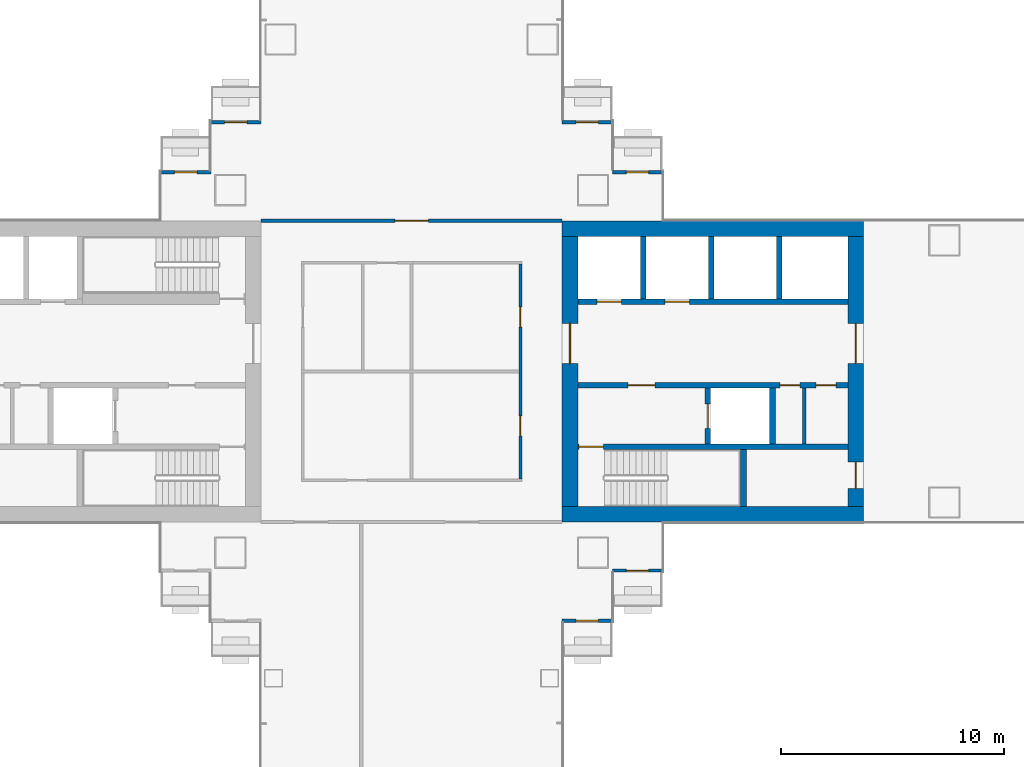
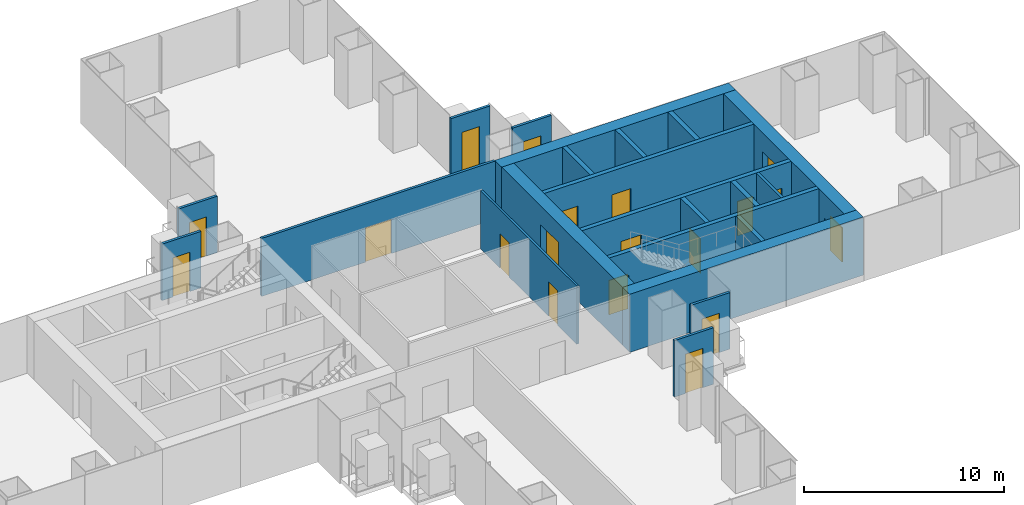
# One storey, part 15 of 21: 22 walls, 19 doors, 19 openings.
"""IFC4 building model written with IfcOpenShell, lengths in metres."""

from ifc_helpers import new_model, si_unit, direction, frame, frame_2d, origin, place, context, subcontext, project, spatial, rectangle, extrude, material, layer, layer_set, type_object, element, fill, save


model = new_model("IFC4")

# Units and contexts
model_context = context("Model", 3, precision=1e-05, world=origin(), true_north=direction((0.0, 1.0)))
body_context = subcontext(model_context, "Body", "Model", "MODEL_VIEW")
ifc_project = project(units=[si_unit("LENGTHUNIT", "METRE"), si_unit("AREAUNIT", "SQUARE_METRE"), si_unit("VOLUMEUNIT", "CUBIC_METRE"), si_unit("PLANEANGLEUNIT", "RADIAN"), si_unit("MASSUNIT", "GRAM", prefix="KILO")], contexts=[model_context])

# Site, building, storey
site_placement = place(None, origin())
site = spatial("IfcSite", under=ifc_project, at=site_placement, CompositionType="ELEMENT")
building_placement = place(site_placement, origin())
building = spatial("IfcBuilding", under=site, at=building_placement, Name="Shamsa Quay Exchange Towers", CompositionType="ELEMENT")
storey_placement = place(building_placement, frame((0.0, 0.0, 65.39990234375)))
storey = spatial("IfcBuildingStorey", under=building, at=storey_placement, Name="L14", CompositionType="ELEMENT", Elevation=65.39990234375)

# Wall, opening, door
ifc_material_1 = material(Name="Aluminium EN AW-6063 T6, black anodised, with black enamelled glass infill", Category="aluminium")
ifc_layer_1 = layer(ifc_material_1, 0.14990234375)
ifc_layer_set_1 = layer_set([ifc_layer_1], Name="BALCONY DOOR BAY WALL 150")
wall_type_1 = type_object("IfcWallType", Name="BALCONY DOOR BAY WALL 150", PredefinedType="SOLIDWALL", material=ifc_layer_set_1)
wall_1_placement = place(storey_placement, frame((-24.75, 8.925048828125, 0.0)))
wall_1 = element("IfcWall", 1, at=wall_1_placement, inside=storey, type_object=wall_type_1, Name="Door bay T1-PKEN L14", PredefinedType="SOLIDWALL", context=body_context, shape_type="SweptSolid", body=[
    extrude(rectangle(XDim=2.25, YDim=0.14990234375, at=frame_2d((1.125, 0.0))), origin(), (0.0, 0.0, 1.0), 3.4501953125),
])
opening_1_placement = place(wall_1_placement, frame((0.625, 0.0, 0.0)))
opening_1 = element("IfcOpeningElement", 2, at=opening_1_placement, cuts=wall_1, Name="Opening XD081", PredefinedType="OPENING", context=body_context, shape_type="SweptSolid", body=[
    extrude(rectangle(XDim=1.0, YDim=2.39990234375, at=frame_2d((0.5, 1.199951171875))), frame((0.0, 0.0849609375, 0.0), z_axis=(0.0, -1.0, 0.0), x_axis=(1.0, 0.0, 0.0)), (0.0, 0.0, 1.0), 0.169921875),
])
ifc_material_2 = material(Name="Aluminium EN AW-6063 T6, black anodised, with laminated glass leaf", Category="aluminium")
door_type_1 = type_object("IfcDoorType", Name="BALCONY DOOR 1000x2400", OperationType="SINGLE_SWING_LEFT", PredefinedType="DOOR", material=ifc_material_2)
door_1_placement = place(opening_1_placement, origin())
door_1 = element("IfcDoor", 3, at=door_1_placement, inside=storey, type_object=door_type_1, Name="Balcony door T1-PKEN L14", OperationType="SINGLE_SWING_RIGHT", OverallHeight=2.39990234375, OverallWidth=1.0, PredefinedType="DOOR", context=body_context, shape_type="SweptSolid", body=[
    extrude(rectangle(XDim=1.0, YDim=2.39990234375, at=frame_2d((0.5, 1.199951171875))), frame((0.0, 0.02490234375, 0.0), z_axis=(0.0, -1.0, 0.0), x_axis=(1.0, 0.0, 0.0)), (0.0, 0.0, 1.0), 0.050048828125),
])
fill(opening_1, door_1)

wall_2_placement = place(storey_placement, frame((-27.0, 11.175048828125, 0.0)))
wall_2 = element("IfcWall", 4, at=wall_2_placement, inside=storey, type_object=wall_type_1, Name="Door bay T1-PKEN L14", PredefinedType="SOLIDWALL", context=body_context, shape_type="SweptSolid", body=[
    extrude(rectangle(XDim=2.25, YDim=0.14990234375, at=frame_2d((1.125, 0.0))), origin(), (0.0, 0.0, 1.0), 3.4501953125),
])
opening_2_placement = place(wall_2_placement, frame((0.625, 0.0, 0.0)))
opening_2 = element("IfcOpeningElement", 5, at=opening_2_placement, cuts=wall_2, Name="Opening XD082", PredefinedType="OPENING", context=body_context, shape_type="SweptSolid", body=[
    extrude(rectangle(XDim=1.0, YDim=2.39990234375, at=frame_2d((0.5, 1.199951171875))), frame((0.0, 0.0849609375, 0.0), z_axis=(0.0, -1.0, 0.0), x_axis=(1.0, 0.0, 0.0)), (0.0, 0.0, 1.0), 0.169921875),
])
door_2_placement = place(opening_2_placement, origin())
door_2 = element("IfcDoor", 6, at=door_2_placement, inside=storey, type_object=door_type_1, Name="Balcony door T1-PKEN L14", OperationType="SINGLE_SWING_LEFT", OverallHeight=2.39990234375, OverallWidth=1.0, PredefinedType="DOOR", context=body_context, shape_type="SweptSolid", body=[
    extrude(rectangle(XDim=1.0, YDim=2.39990234375, at=frame_2d((0.5, 1.199951171875))), frame((0.0, 0.02490234375, 0.0), z_axis=(0.0, -1.0, 0.0), x_axis=(1.0, 0.0, 0.0)), (0.0, 0.0, 1.0), 0.050048828125),
])
fill(opening_2, door_2)

wall_3_placement = place(storey_placement, frame((-22.5, -8.925048828125, 0.0), z_axis=(0.0, 0.0, 1.0), x_axis=(-1.0, 0.0, 0.0)))
wall_3 = element("IfcWall", 7, at=wall_3_placement, inside=storey, type_object=wall_type_1, Name="Door bay T1-PKES L14", PredefinedType="SOLIDWALL", context=body_context, shape_type="SweptSolid", body=[
    extrude(rectangle(XDim=2.25, YDim=0.14990234375, at=frame_2d((1.125, 0.0))), origin(), (0.0, 0.0, 1.0), 3.4501953125),
])
opening_3_placement = place(wall_3_placement, frame((0.625, 0.0, 0.0)))
opening_3 = element("IfcOpeningElement", 8, at=opening_3_placement, cuts=wall_3, Name="Opening XD083", PredefinedType="OPENING", context=body_context, shape_type="SweptSolid", body=[
    extrude(rectangle(XDim=1.0, YDim=2.39990234375, at=frame_2d((0.5, 1.199951171875))), frame((0.0, 0.0849609375, 0.0), z_axis=(0.0, -1.0, 0.0), x_axis=(1.0, 0.0, 0.0)), (0.0, 0.0, 1.0), 0.169921875),
])
door_3_placement = place(opening_3_placement, origin())
door_3 = element("IfcDoor", 9, at=door_3_placement, inside=storey, type_object=door_type_1, Name="Balcony door T1-PKES L14", OperationType="SINGLE_SWING_RIGHT", OverallHeight=2.39990234375, OverallWidth=1.0, PredefinedType="DOOR", context=body_context, shape_type="SweptSolid", body=[
    extrude(rectangle(XDim=1.0, YDim=2.39990234375, at=frame_2d((0.5, 1.199951171875))), frame((0.0, 0.02490234375, 0.0), z_axis=(0.0, -1.0, 0.0), x_axis=(1.0, 0.0, 0.0)), (0.0, 0.0, 1.0), 0.050048828125),
])
fill(opening_3, door_3)

wall_4_placement = place(storey_placement, frame((-24.75, -11.175048828125, 0.0), z_axis=(0.0, 0.0, 1.0), x_axis=(-1.0, 0.0, 0.0)))
wall_4 = element("IfcWall", 10, at=wall_4_placement, inside=storey, type_object=wall_type_1, Name="Door bay T1-PKES L14", PredefinedType="SOLIDWALL", context=body_context, shape_type="SweptSolid", body=[
    extrude(rectangle(XDim=2.25, YDim=0.14990234375, at=frame_2d((1.125, 0.0))), origin(), (0.0, 0.0, 1.0), 3.4501953125),
])
opening_4_placement = place(wall_4_placement, frame((0.625, 0.0, 0.0)))
opening_4 = element("IfcOpeningElement", 11, at=opening_4_placement, cuts=wall_4, Name="Opening XD084", PredefinedType="OPENING", context=body_context, shape_type="SweptSolid", body=[
    extrude(rectangle(XDim=1.0, YDim=2.39990234375, at=frame_2d((0.5, 1.199951171875))), frame((0.0, 0.0849609375, 0.0), z_axis=(0.0, -1.0, 0.0), x_axis=(1.0, 0.0, 0.0)), (0.0, 0.0, 1.0), 0.169921875),
])
door_4_placement = place(opening_4_placement, origin())
door_4 = element("IfcDoor", 12, at=door_4_placement, inside=storey, type_object=door_type_1, Name="Balcony door T1-PKES L14", OperationType="SINGLE_SWING_LEFT", OverallHeight=2.39990234375, OverallWidth=1.0, PredefinedType="DOOR", context=body_context, shape_type="SweptSolid", body=[
    extrude(rectangle(XDim=1.0, YDim=2.39990234375, at=frame_2d((0.5, 1.199951171875))), frame((0.0, 0.02490234375, 0.0), z_axis=(0.0, -1.0, 0.0), x_axis=(1.0, 0.0, 0.0)), (0.0, 0.0, 1.0), 0.050048828125),
])
fill(opening_4, door_4)

wall_5_placement = place(storey_placement, frame((-42.75, 11.175048828125, 0.0)))
wall_5 = element("IfcWall", 13, at=wall_5_placement, inside=storey, type_object=wall_type_1, Name="Door bay T1-PKWN L14", PredefinedType="SOLIDWALL", context=body_context, shape_type="SweptSolid", body=[
    extrude(rectangle(XDim=2.25, YDim=0.14990234375, at=frame_2d((1.125, 0.0))), origin(), (0.0, 0.0, 1.0), 3.4501953125),
])
opening_5_placement = place(wall_5_placement, frame((0.625, 0.0, 0.0)))
opening_5 = element("IfcOpeningElement", 14, at=opening_5_placement, cuts=wall_5, Name="Opening XD085", PredefinedType="OPENING", context=body_context, shape_type="SweptSolid", body=[
    extrude(rectangle(XDim=1.0, YDim=2.39990234375, at=frame_2d((0.5, 1.199951171875))), frame((0.0, 0.0849609375, 0.0), z_axis=(0.0, -1.0, 0.0), x_axis=(1.0, 0.0, 0.0)), (0.0, 0.0, 1.0), 0.169921875),
])
door_5_placement = place(opening_5_placement, origin())
door_5 = element("IfcDoor", 15, at=door_5_placement, inside=storey, type_object=door_type_1, Name="Balcony door T1-PKWN L14", OperationType="SINGLE_SWING_LEFT", OverallHeight=2.39990234375, OverallWidth=1.0, PredefinedType="DOOR", context=body_context, shape_type="SweptSolid", body=[
    extrude(rectangle(XDim=1.0, YDim=2.39990234375, at=frame_2d((0.5, 1.199951171875))), frame((0.0, 0.02490234375, 0.0), z_axis=(0.0, -1.0, 0.0), x_axis=(1.0, 0.0, 0.0)), (0.0, 0.0, 1.0), 0.050048828125),
])
fill(opening_5, door_5)

wall_6_placement = place(storey_placement, frame((-45.0, 8.925048828125, 0.0)))
wall_6 = element("IfcWall", 16, at=wall_6_placement, inside=storey, type_object=wall_type_1, Name="Door bay T1-PKWN L14", PredefinedType="SOLIDWALL", context=body_context, shape_type="SweptSolid", body=[
    extrude(rectangle(XDim=2.25, YDim=0.14990234375, at=frame_2d((1.125, 0.0))), origin(), (0.0, 0.0, 1.0), 3.4501953125),
])
opening_6_placement = place(wall_6_placement, frame((0.625, 0.0, 0.0)))
opening_6 = element("IfcOpeningElement", 17, at=opening_6_placement, cuts=wall_6, Name="Opening XD086", PredefinedType="OPENING", context=body_context, shape_type="SweptSolid", body=[
    extrude(rectangle(XDim=1.0, YDim=2.39990234375, at=frame_2d((0.5, 1.199951171875))), frame((0.0, 0.0849609375, 0.0), z_axis=(0.0, -1.0, 0.0), x_axis=(1.0, 0.0, 0.0)), (0.0, 0.0, 1.0), 0.169921875),
])
door_6_placement = place(opening_6_placement, origin())
door_6 = element("IfcDoor", 18, at=door_6_placement, inside=storey, type_object=door_type_1, Name="Balcony door T1-PKWN L14", OperationType="SINGLE_SWING_RIGHT", OverallHeight=2.39990234375, OverallWidth=1.0, PredefinedType="DOOR", context=body_context, shape_type="SweptSolid", body=[
    extrude(rectangle(XDim=1.0, YDim=2.39990234375, at=frame_2d((0.5, 1.199951171875))), frame((0.0, 0.02490234375, 0.0), z_axis=(0.0, -1.0, 0.0), x_axis=(1.0, 0.0, 0.0)), (0.0, 0.0, 1.0), 0.050048828125),
])
fill(opening_6, door_6)

# Walls
ifc_material_3 = material(Name="Concrete C80/95", Category="concrete")
ifc_layer_2 = layer(ifc_material_3, 0.699951171875)
ifc_layer_set_2 = layer_set([ifc_layer_2], Name="CORE WALL 700 C80/95")
wall_type_2 = type_object("IfcWallType", Name="CORE WALL 700 C80/95", PredefinedType="SHEAR", material=ifc_layer_set_2)
for number, where, name in (
    (19, (-27.0, -6.39990234375, 0.0), "Core wall T1A-R06-PS"),
    (20, (-27.0, 6.39990234375, 0.0), "Core wall T1A-R06-PN"),
):
    element("IfcWall", number, at=place(storey_placement, frame(where)), inside=storey, type_object=wall_type_2, Name=name, PredefinedType="SHEAR", context=body_context, shape_type="SweptSolid", body=[
        extrude(rectangle(XDim=13.5, YDim=0.699951171875, at=frame_2d((6.75, 0.0))), origin(), (0.0, 0.0, 1.0), 3.550048828125),
    ])

# Wall, opening, door
wall_7_placement = place(storey_placement, frame((-26.64990234375, 6.050048828125, 0.0), z_axis=(0.0, 0.0, 1.0), x_axis=(0.0, -1.0, 0.0)))
wall_7 = element("IfcWall", 21, at=wall_7_placement, inside=storey, type_object=wall_type_2, Name="Core wall T1A-R06-PF", PredefinedType="SHEAR", context=body_context, shape_type="SweptSolid", body=[
    extrude(rectangle(XDim=12.10009765625, YDim=0.699951171875, at=frame_2d((6.050048828125, 0.0))), origin(), (0.0, 0.0, 1.0), 3.550048828125),
])
opening_7_placement = place(wall_7_placement, frame((3.89990234375, 0.0, 0.0)))
opening_7 = element("IfcOpeningElement", 22, at=opening_7_placement, cuts=wall_7, Name="Opening T1A-R06-LBD01", PredefinedType="OPENING", context=body_context, shape_type="SweptSolid", body=[
    extrude(rectangle(XDim=1.800048828125, YDim=2.39990234375, at=frame_2d((0.89990234375, 1.199951171875))), frame((0.0, 0.35986328125, 0.0), z_axis=(0.0, -1.0, 0.0), x_axis=(1.0, 0.0, 0.0)), (0.0, 0.0, 1.0), 0.719970703125),
])
ifc_material_4 = material(Name="Steel, fire rated", Category="steel")
door_type_2 = type_object("IfcDoorType", Name="LIFT LOBBY DOOR PAIR 1800", OperationType="DOUBLE_DOOR_SINGLE_SWING", PredefinedType="DOOR", material=ifc_material_4)
door_7_placement = place(opening_7_placement, origin())
door_7 = element("IfcDoor", 23, at=door_7_placement, inside=storey, type_object=door_type_2, Name="T1A-R06-LBD01", OperationType="DOUBLE_DOOR_SINGLE_SWING", OverallHeight=2.39990234375, OverallWidth=1.800048828125, PredefinedType="DOOR", context=body_context, shape_type="SweptSolid", body=[
    extrude(rectangle(XDim=1.800048828125, YDim=2.39990234375, at=frame_2d((0.89990234375, 1.199951171875))), frame((0.0, 0.02490234375, 0.0), z_axis=(0.0, -1.0, 0.0), x_axis=(1.0, 0.0, 0.0)), (0.0, 0.0, 1.0), 0.050048828125),
])
fill(opening_7, door_7)

# Wall, openings, doors
wall_8_placement = place(storey_placement, frame((-13.85009765625, 6.050048828125, 0.0), z_axis=(0.0, 0.0, 1.0), x_axis=(0.0, -1.0, 0.0)))
wall_8 = element("IfcWall", 24, at=wall_8_placement, inside=storey, type_object=wall_type_2, Name="Core wall T1A-R06-PB", PredefinedType="SHEAR", context=body_context, shape_type="SweptSolid", body=[
    extrude(rectangle(XDim=12.10009765625, YDim=0.699951171875, at=frame_2d((6.050048828125, 0.0))), origin(), (0.0, 0.0, 1.0), 3.550048828125),
])
opening_8_placement = place(wall_8_placement, frame((10.10009765625, 0.0, 0.0)))
opening_8 = element("IfcOpeningElement", 25, at=opening_8_placement, cuts=wall_8, Name="Opening T1A-R06-RD02", PredefinedType="OPENING", context=body_context, shape_type="SweptSolid", body=[
    extrude(rectangle(XDim=1.199951171875, YDim=2.10009765625, at=frame_2d((0.60009765625, 1.050048828125))), frame((0.0, 0.35986328125, 0.0), z_axis=(0.0, -1.0, 0.0), x_axis=(1.0, 0.0, 0.0)), (0.0, 0.0, 1.0), 0.719970703125),
])
opening_9_placement = place(wall_8_placement, frame((3.89990234375, 0.0, 0.0)))
opening_9 = element("IfcOpeningElement", 26, at=opening_9_placement, cuts=wall_8, Name="Opening T1A-R06-LBD03", PredefinedType="OPENING", context=body_context, shape_type="SweptSolid", body=[
    extrude(rectangle(XDim=1.800048828125, YDim=2.39990234375, at=frame_2d((0.89990234375, 1.199951171875))), frame((0.0, 0.35986328125, 0.0), z_axis=(0.0, -1.0, 0.0), x_axis=(1.0, 0.0, 0.0)), (0.0, 0.0, 1.0), 0.719970703125),
])
door_8_placement = place(opening_9_placement, origin())
door_8 = element("IfcDoor", 27, at=door_8_placement, inside=storey, type_object=door_type_2, Name="T1A-R06-LBD03", OperationType="DOUBLE_DOOR_SINGLE_SWING", OverallHeight=2.39990234375, OverallWidth=1.800048828125, PredefinedType="DOOR", context=body_context, shape_type="SweptSolid", body=[
    extrude(rectangle(XDim=1.800048828125, YDim=2.39990234375, at=frame_2d((0.89990234375, 1.199951171875))), frame((0.0, 0.02490234375, 0.0), z_axis=(0.0, -1.0, 0.0), x_axis=(1.0, 0.0, 0.0)), (0.0, 0.0, 1.0), 0.050048828125),
])
fill(opening_9, door_8)
door_type_3 = type_object("IfcDoorType", Name="RISER ACCESS DOOR 1200", OperationType="SINGLE_SWING_LEFT", PredefinedType="DOOR", material=ifc_material_4)
door_9_placement = place(opening_8_placement, origin())
door_9 = element("IfcDoor", 28, at=door_9_placement, inside=storey, type_object=door_type_3, Name="T1A-R06-RD02", OperationType="SINGLE_SWING_RIGHT", OverallHeight=2.10009765625, OverallWidth=1.199951171875, PredefinedType="DOOR", context=body_context, shape_type="SweptSolid", body=[
    extrude(rectangle(XDim=1.199951171875, YDim=2.10009765625, at=frame_2d((0.60009765625, 1.050048828125))), frame((0.0, 0.02490234375, 0.0), z_axis=(0.0, -1.0, 0.0), x_axis=(1.0, 0.0, 0.0)), (0.0, 0.0, 1.0), 0.050048828125),
])
fill(opening_8, door_9)

# Wall
ifc_material_5 = material(Name="Gypsum board on steel studs, EI 60", Category="steel")
ifc_layer_3 = layer(ifc_material_5, 0.14990234375)
ifc_layer_set_3 = layer_set([ifc_layer_3], Name="FIRE PARTITION 150")
wall_type_3 = type_object("IfcWallType", Name="FIRE PARTITION 150", PredefinedType="PARTITIONING", material=ifc_layer_set_3)
wall_9_placement = place(storey_placement, frame((-16.14990234375, -3.25, 0.0), z_axis=(0.0, 0.0, 1.0), x_axis=(0.0, 1.0, 0.0)))
element("IfcWall", 29, at=wall_9_placement, inside=storey, type_object=wall_type_3, Name="Partition T1A-R06-EC0", PredefinedType="PARTITIONING", context=body_context, shape_type="SweptSolid", body=[
    extrude(rectangle(XDim=2.5, YDim=0.14990234375, at=frame_2d((1.25, 0.0))), origin(), (0.0, 0.0, 1.0), 3.550048828125),
])

# Wall, openings, doors
ifc_material_6 = material(Name="Laminated fire-resisting glass in a metal frame", Category="glass")
ifc_layer_4 = layer(ifc_material_6, 0.125)
ifc_layer_set_4 = layer_set([ifc_layer_4], Name="Glazed partition 125 mm EI 60")
wall_type_4 = type_object("IfcWallType", Name="Glazed partition 125 mm EI 60", PredefinedType="PARTITIONING", material=ifc_layer_set_4)
wall_10_placement = place(storey_placement, frame((-28.875, -4.8125, 0.0), z_axis=(0.0, 0.0, 1.0), x_axis=(0.0, 1.0, 0.0)))
wall_10 = element("IfcWall", 30, at=wall_10_placement, inside=storey, type_object=wall_type_4, Name="Partition T1-R06-W01", PredefinedType="PARTITIONING", context=body_context, shape_type="SweptSolid", body=[
    extrude(rectangle(XDim=9.625, YDim=0.125, at=frame_2d((4.8125, 0.0))), origin(), (0.0, 0.0, 1.0), 3.550048828125),
])
opening_10_placement = place(wall_10_placement, frame((1.925048828125, 0.0, 0.0)))
opening_10 = element("IfcOpeningElement", 31, at=opening_10_placement, cuts=wall_10, Name="Opening T1-R06-D05", PredefinedType="OPENING", context=body_context, shape_type="SweptSolid", body=[
    extrude(rectangle(XDim=0.89990234375, YDim=2.10009765625, at=frame_2d((0.449951171875, 1.050048828125))), frame((0.0, 0.072509765625, 0.0), z_axis=(0.0, -1.0, 0.0), x_axis=(1.0, 0.0, 0.0)), (0.0, 0.0, 1.0), 0.14501953125),
])
opening_11_placement = place(wall_10_placement, frame((6.800048828125, 0.0, 0.0)))
opening_11 = element("IfcOpeningElement", 32, at=opening_11_placement, cuts=wall_10, Name="Opening T1-R06-D06", PredefinedType="OPENING", context=body_context, shape_type="SweptSolid", body=[
    extrude(rectangle(XDim=0.89990234375, YDim=2.10009765625, at=frame_2d((0.449951171875, 1.050048828125))), frame((0.0, 0.072509765625, 0.0), z_axis=(0.0, -1.0, 0.0), x_axis=(1.0, 0.0, 0.0)), (0.0, 0.0, 1.0), 0.14501953125),
])
ifc_material_7 = material(Name="Timber door leaf in a metal frame", Category="wood")
door_type_4 = type_object("IfcDoorType", Name="Door 900x2100 FD30S", OperationType="NOTDEFINED", PredefinedType="DOOR", material=ifc_material_7)
door_10_placement = place(opening_10_placement, origin())
door_10 = element("IfcDoor", 33, at=door_10_placement, inside=storey, type_object=door_type_4, Name="Door T1-R06-D05", OperationType="SINGLE_SWING_RIGHT", OverallHeight=2.10009765625, OverallWidth=0.89990234375, PredefinedType="DOOR", context=body_context, shape_type="SweptSolid", body=[
    extrude(rectangle(XDim=0.89990234375, YDim=2.10009765625, at=frame_2d((0.449951171875, 1.050048828125))), frame((0.0, 0.02490234375, 0.0), z_axis=(0.0, -1.0, 0.0), x_axis=(1.0, 0.0, 0.0)), (0.0, 0.0, 1.0), 0.050048828125),
])
fill(opening_10, door_10)
door_11_placement = place(opening_11_placement, origin())
door_11 = element("IfcDoor", 34, at=door_11_placement, inside=storey, type_object=door_type_4, Name="Door T1-R06-D06", OperationType="SINGLE_SWING_RIGHT", OverallHeight=2.10009765625, OverallWidth=0.89990234375, PredefinedType="DOOR", context=body_context, shape_type="SweptSolid", body=[
    extrude(rectangle(XDim=0.89990234375, YDim=2.10009765625, at=frame_2d((0.449951171875, 1.050048828125))), frame((0.0, 0.02490234375, 0.0), z_axis=(0.0, -1.0, 0.0), x_axis=(1.0, 0.0, 0.0)), (0.0, 0.0, 1.0), 0.050048828125),
])
fill(opening_11, door_11)

# Wall, opening, door
ifc_material_8 = material(Name="Gypsum board partition on metal studs")
ifc_layer_5 = layer(ifc_material_8, 0.14990234375)
ifc_layer_set_5 = layer_set([ifc_layer_5], Name="Partition 150 mm EI 60")
wall_type_5 = type_object("IfcWallType", Name="Partition 150 mm EI 60", PredefinedType="PARTITIONING", material=ifc_layer_set_5)
wall_11_placement = place(storey_placement, frame((-40.5, 6.75, 0.0)))
wall_11 = element("IfcWall", 35, at=wall_11_placement, inside=storey, type_object=wall_type_5, Name="Partition T1-R06-W07", PredefinedType="PARTITIONING", context=body_context, shape_type="SweptSolid", body=[
    extrude(rectangle(XDim=13.5, YDim=0.14990234375, at=frame_2d((6.75, 0.0))), origin(), (0.0, 0.0, 1.0), 3.550048828125),
])
opening_12_placement = place(wall_11_placement, frame((6.0, 0.0, 0.0)))
opening_12 = element("IfcOpeningElement", 36, at=opening_12_placement, cuts=wall_11, Name="Opening T1-R06-D01", PredefinedType="OPENING", context=body_context, shape_type="SweptSolid", body=[
    extrude(rectangle(XDim=1.5, YDim=2.10009765625, at=frame_2d((0.75, 1.050048828125))), frame((0.0, 0.0849609375, 0.0), z_axis=(0.0, -1.0, 0.0), x_axis=(1.0, 0.0, 0.0)), (0.0, 0.0, 1.0), 0.169921875),
])
door_type_5 = type_object("IfcDoorType", Name="Door 1500x2100 FD30S pair", OperationType="NOTDEFINED", PredefinedType="DOOR", material=ifc_material_7)
door_12_placement = place(opening_12_placement, origin())
door_12 = element("IfcDoor", 37, at=door_12_placement, inside=storey, type_object=door_type_5, Name="Door T1-R06-D01", OperationType="DOUBLE_DOOR_SINGLE_SWING", OverallHeight=2.10009765625, OverallWidth=1.5, PredefinedType="DOOR", context=body_context, shape_type="SweptSolid", body=[
    extrude(rectangle(XDim=1.5, YDim=2.10009765625, at=frame_2d((0.75, 1.050048828125))), frame((0.0, 0.02490234375, 0.0), z_axis=(0.0, -1.0, 0.0), x_axis=(1.0, 0.0, 0.0)), (0.0, 0.0, 1.0), 0.050048828125),
])
fill(opening_12, door_12)

ifc_material_9 = material(Name="Concrete C50/60", Category="concrete")
ifc_layer_6 = layer(ifc_material_9, 0.25)
ifc_layer_set_6 = layer_set([ifc_layer_6], Name="SHAFT WALL 250 C50/60")
wall_type_6 = type_object("IfcWallType", Name="SHAFT WALL 250 C50/60", PredefinedType="SHEAR", material=ifc_layer_set_6)
wall_12_placement = place(storey_placement, frame((-14.199951171875, -3.375, 0.0), z_axis=(0.0, 0.0, 1.0), x_axis=(-1.0, 0.0, 0.0)))
wall_12 = element("IfcWall", 38, at=wall_12_placement, inside=storey, type_object=wall_type_6, Name="Shaft wall T1A-R06-STL", PredefinedType="SHEAR", context=body_context, shape_type="SweptSolid", body=[
    extrude(rectangle(XDim=12.10009765625, YDim=0.25, at=frame_2d((6.050048828125, 0.0))), origin(), (0.0, 0.0, 1.0), 3.550048828125),
])
opening_13_placement = place(wall_12_placement, frame((10.949951171875, 0.0, 0.0)))
opening_13 = element("IfcOpeningElement", 39, at=opening_13_placement, cuts=wall_12, Name="Opening T1A-R06-SD04", PredefinedType="OPENING", context=body_context, shape_type="SweptSolid", body=[
    extrude(rectangle(XDim=1.10009765625, YDim=2.10009765625, at=frame_2d((0.550048828125, 1.050048828125))), frame((0.0, 0.135009765625, 0.0), z_axis=(0.0, -1.0, 0.0), x_axis=(1.0, 0.0, 0.0)), (0.0, 0.0, 1.0), 0.27001953125),
])
door_type_6 = type_object("IfcDoorType", Name="STAIR DOOR 1100", OperationType="SINGLE_SWING_LEFT", PredefinedType="DOOR", material=ifc_material_4)
door_13_placement = place(opening_13_placement, origin())
door_13 = element("IfcDoor", 40, at=door_13_placement, inside=storey, type_object=door_type_6, Name="T1A-R06-SD04", OperationType="SINGLE_SWING_RIGHT", OverallHeight=2.10009765625, OverallWidth=1.10009765625, PredefinedType="DOOR", context=body_context, shape_type="SweptSolid", body=[
    extrude(rectangle(XDim=1.10009765625, YDim=2.10009765625, at=frame_2d((0.550048828125, 1.050048828125))), frame((0.0, 0.02490234375, 0.0), z_axis=(0.0, -1.0, 0.0), x_axis=(1.0, 0.0, 0.0)), (0.0, 0.0, 1.0), 0.050048828125),
])
fill(opening_13, door_13)

# Wall
wall_13_placement = place(storey_placement, frame((-18.875, -6.050048828125, 0.0), z_axis=(0.0, 0.0, 1.0), x_axis=(0.0, 1.0, 0.0)))
element("IfcWall", 41, at=wall_13_placement, inside=storey, type_object=wall_type_6, Name="Shaft wall T1A-R06-STF", PredefinedType="SHEAR", context=body_context, shape_type="SweptSolid", body=[
    extrude(rectangle(XDim=2.550048828125, YDim=0.25, at=frame_2d((1.27490234375, 0.0))), origin(), (0.0, 0.0, 1.0), 3.550048828125),
])

# Wall, openings, doors
wall_14_placement = place(storey_placement, frame((-14.199951171875, -0.625, 0.0), z_axis=(0.0, 0.0, 1.0), x_axis=(-1.0, 0.0, 0.0)))
wall_14 = element("IfcWall", 42, at=wall_14_placement, inside=storey, type_object=wall_type_6, Name="Shaft wall T1A-R06-B", PredefinedType="SHEAR", context=body_context, shape_type="SweptSolid", body=[
    extrude(rectangle(XDim=12.10009765625, YDim=0.25, at=frame_2d((6.050048828125, 0.0))), origin(), (0.0, 0.0, 1.0), 3.550048828125),
])
opening_14_placement = place(wall_14_placement, frame((8.64990234375, 0.0, 0.0)))
opening_14 = element("IfcOpeningElement", 43, at=opening_14_placement, cuts=wall_14, Name="Opening T1A-R06-FD05", PredefinedType="OPENING", context=body_context, shape_type="SweptSolid", body=[
    extrude(rectangle(XDim=1.199951171875, YDim=2.10009765625, at=frame_2d((0.60009765625, 1.050048828125))), frame((0.0, 0.135009765625, 0.0), z_axis=(0.0, -1.0, 0.0), x_axis=(1.0, 0.0, 0.0)), (0.0, 0.0, 1.0), 0.27001953125),
])
opening_15_placement = place(wall_14_placement, frame((2.14990234375, 0.0, 0.0)))
opening_15 = element("IfcOpeningElement", 44, at=opening_15_placement, cuts=wall_14, Name="Opening T1A-R06-SV06", PredefinedType="OPENING", context=body_context, shape_type="SweptSolid", body=[
    extrude(rectangle(XDim=0.89990234375, YDim=2.10009765625, at=frame_2d((0.449951171875, 1.050048828125))), frame((0.0, 0.135009765625, 0.0), z_axis=(0.0, -1.0, 0.0), x_axis=(1.0, 0.0, 0.0)), (0.0, 0.0, 1.0), 0.27001953125),
])
opening_16_placement = place(wall_14_placement, frame((0.52490234375, 0.0, 0.0)))
opening_16 = element("IfcOpeningElement", 45, at=opening_16_placement, cuts=wall_14, Name="Opening T1A-R06-SV07", PredefinedType="OPENING", context=body_context, shape_type="SweptSolid", body=[
    extrude(rectangle(XDim=0.89990234375, YDim=2.10009765625, at=frame_2d((0.449951171875, 1.050048828125))), frame((0.0, 0.135009765625, 0.0), z_axis=(0.0, -1.0, 0.0), x_axis=(1.0, 0.0, 0.0)), (0.0, 0.0, 1.0), 0.27001953125),
])
door_type_7 = type_object("IfcDoorType", Name="FIRE SERVICE LOBBY DOOR 1200", OperationType="SINGLE_SWING_LEFT", PredefinedType="DOOR", material=ifc_material_4)
door_14_placement = place(opening_14_placement, origin())
door_14 = element("IfcDoor", 46, at=door_14_placement, inside=storey, type_object=door_type_7, Name="T1A-R06-FD05", OperationType="SINGLE_SWING_RIGHT", OverallHeight=2.10009765625, OverallWidth=1.199951171875, PredefinedType="DOOR", context=body_context, shape_type="SweptSolid", body=[
    extrude(rectangle(XDim=1.199951171875, YDim=2.10009765625, at=frame_2d((0.60009765625, 1.050048828125))), frame((0.0, 0.02490234375, 0.0), z_axis=(0.0, -1.0, 0.0), x_axis=(1.0, 0.0, 0.0)), (0.0, 0.0, 1.0), 0.050048828125),
])
fill(opening_14, door_14)
door_type_8 = type_object("IfcDoorType", Name="SERVICE ROOM DOOR 900", OperationType="SINGLE_SWING_LEFT", PredefinedType="DOOR", material=ifc_material_4)
door_15_placement = place(opening_15_placement, origin())
door_15 = element("IfcDoor", 47, at=door_15_placement, inside=storey, type_object=door_type_8, Name="T1A-R06-SV06", OperationType="SINGLE_SWING_LEFT", OverallHeight=2.10009765625, OverallWidth=0.89990234375, PredefinedType="DOOR", context=body_context, shape_type="SweptSolid", body=[
    extrude(rectangle(XDim=0.89990234375, YDim=2.10009765625, at=frame_2d((0.449951171875, 1.050048828125))), frame((0.0, 0.02490234375, 0.0), z_axis=(0.0, -1.0, 0.0), x_axis=(1.0, 0.0, 0.0)), (0.0, 0.0, 1.0), 0.050048828125),
])
fill(opening_15, door_15)
door_16_placement = place(opening_16_placement, origin())
door_16 = element("IfcDoor", 48, at=door_16_placement, inside=storey, type_object=door_type_8, Name="T1A-R06-SV07", OperationType="SINGLE_SWING_LEFT", OverallHeight=2.10009765625, OverallWidth=0.89990234375, PredefinedType="DOOR", context=body_context, shape_type="SweptSolid", body=[
    extrude(rectangle(XDim=0.89990234375, YDim=2.10009765625, at=frame_2d((0.449951171875, 1.050048828125))), frame((0.0, 0.02490234375, 0.0), z_axis=(0.0, -1.0, 0.0), x_axis=(1.0, 0.0, 0.0)), (0.0, 0.0, 1.0), 0.050048828125),
])
fill(opening_16, door_16)

# Wall, opening, door
wall_15_placement = place(storey_placement, frame((-20.47509765625, -3.25, 0.0), z_axis=(0.0, 0.0, 1.0), x_axis=(0.0, 1.0, 0.0)))
wall_15 = element("IfcWall", 49, at=wall_15_placement, inside=storey, type_object=wall_type_6, Name="Shaft wall T1A-R06-FFF", PredefinedType="SHEAR", context=body_context, shape_type="SweptSolid", body=[
    extrude(rectangle(XDim=2.5, YDim=0.25, at=frame_2d((1.25, 0.0))), origin(), (0.0, 0.0, 1.0), 3.550048828125),
])
opening_17_placement = place(wall_15_placement, frame((0.699951171875, 0.0, 0.0)))
opening_17 = element("IfcOpeningElement", 50, at=opening_17_placement, cuts=wall_15, Name="Opening T1A-R06-LDF08", PredefinedType="OPENING", context=body_context, shape_type="SweptSolid", body=[
    extrude(rectangle(XDim=1.10009765625, YDim=2.10009765625, at=frame_2d((0.550048828125, 1.050048828125))), frame((0.0, 0.135009765625, 0.0), z_axis=(0.0, -1.0, 0.0), x_axis=(1.0, 0.0, 0.0)), (0.0, 0.0, 1.0), 0.27001953125),
])
door_type_9 = type_object("IfcDoorType", Name="FIRE SERVICE LANDING DOOR 1100", OperationType="SLIDING_TO_LEFT", PredefinedType="DOOR", material=ifc_material_4)
door_17_placement = place(opening_17_placement, origin())
door_17 = element("IfcDoor", 51, at=door_17_placement, inside=storey, type_object=door_type_9, Name="T1A-R06-LDF08", OperationType="SLIDING_TO_LEFT", OverallHeight=2.10009765625, OverallWidth=1.10009765625, PredefinedType="DOOR", context=body_context, shape_type="SweptSolid", body=[
    extrude(rectangle(XDim=1.10009765625, YDim=2.10009765625, at=frame_2d((0.550048828125, 1.050048828125))), frame((0.0, 0.02490234375, 0.0), z_axis=(0.0, -1.0, 0.0), x_axis=(1.0, 0.0, 0.0)), (0.0, 0.0, 1.0), 0.050048828125),
])
fill(opening_17, door_17)

# Wall
wall_16_placement = place(storey_placement, frame((-17.574951171875, -3.25, 0.0), z_axis=(0.0, 0.0, 1.0), x_axis=(0.0, 1.0, 0.0)))
element("IfcWall", 52, at=wall_16_placement, inside=storey, type_object=wall_type_6, Name="Shaft wall T1A-R06-FFB", PredefinedType="SHEAR", context=body_context, shape_type="SweptSolid", body=[
    extrude(rectangle(XDim=2.5, YDim=0.25, at=frame_2d((1.25, 0.0))), origin(), (0.0, 0.0, 1.0), 3.550048828125),
])

# Wall, openings, doors
wall_17_placement = place(storey_placement, frame((-26.300048828125, 3.125, 0.0)))
wall_17 = element("IfcWall", 53, at=wall_17_placement, inside=storey, type_object=wall_type_6, Name="Shaft wall T1A-R06-N", PredefinedType="SHEAR", context=body_context, shape_type="SweptSolid", body=[
    extrude(rectangle(XDim=12.10009765625, YDim=0.25, at=frame_2d((6.050048828125, 0.0))), origin(), (0.0, 0.0, 1.0), 3.550048828125),
])
opening_18_placement = place(wall_17_placement, frame((0.85009765625, 0.0, 0.0)))
opening_18 = element("IfcOpeningElement", 54, at=opening_18_placement, cuts=wall_17, Name="Opening T1A-R06-LD09", PredefinedType="OPENING", context=body_context, shape_type="SweptSolid", body=[
    extrude(rectangle(XDim=1.10009765625, YDim=2.10009765625, at=frame_2d((0.550048828125, 1.050048828125))), frame((0.0, 0.135009765625, 0.0), z_axis=(0.0, -1.0, 0.0), x_axis=(1.0, 0.0, 0.0)), (0.0, 0.0, 1.0), 0.27001953125),
])
opening_19_placement = place(wall_17_placement, frame((3.89990234375, 0.0, 0.0)))
opening_19 = element("IfcOpeningElement", 55, at=opening_19_placement, cuts=wall_17, Name="Opening T1A-R06-LD10", PredefinedType="OPENING", context=body_context, shape_type="SweptSolid", body=[
    extrude(rectangle(XDim=1.10009765625, YDim=2.10009765625, at=frame_2d((0.550048828125, 1.050048828125))), frame((0.0, 0.135009765625, 0.0), z_axis=(0.0, -1.0, 0.0), x_axis=(1.0, 0.0, 0.0)), (0.0, 0.0, 1.0), 0.27001953125),
])
door_type_10 = type_object("IfcDoorType", Name="LANDING DOOR 1100", OperationType="SLIDING_TO_LEFT", PredefinedType="DOOR", material=ifc_material_4)
door_18_placement = place(opening_18_placement, origin())
door_18 = element("IfcDoor", 56, at=door_18_placement, inside=storey, type_object=door_type_10, Name="T1A-R06-LD09", OperationType="SLIDING_TO_LEFT", OverallHeight=2.10009765625, OverallWidth=1.10009765625, PredefinedType="DOOR", context=body_context, shape_type="SweptSolid", body=[
    extrude(rectangle(XDim=1.10009765625, YDim=2.10009765625, at=frame_2d((0.550048828125, 1.050048828125))), frame((0.0, 0.02490234375, 0.0), z_axis=(0.0, -1.0, 0.0), x_axis=(1.0, 0.0, 0.0)), (0.0, 0.0, 1.0), 0.050048828125),
])
fill(opening_18, door_18)
door_19_placement = place(opening_19_placement, origin())
door_19 = element("IfcDoor", 57, at=door_19_placement, inside=storey, type_object=door_type_10, Name="T1A-R06-LD10", OperationType="SLIDING_TO_LEFT", OverallHeight=2.10009765625, OverallWidth=1.10009765625, PredefinedType="DOOR", context=body_context, shape_type="SweptSolid", body=[
    extrude(rectangle(XDim=1.10009765625, YDim=2.10009765625, at=frame_2d((0.550048828125, 1.050048828125))), frame((0.0, 0.02490234375, 0.0), z_axis=(0.0, -1.0, 0.0), x_axis=(1.0, 0.0, 0.0)), (0.0, 0.0, 1.0), 0.050048828125),
])
fill(opening_19, door_19)

# Walls
for number, where, z_axis, x_axis, name in (
    (58, (-23.375, 3.25, 0.0), (0.0, 0.0, 1.0), (0.0, 1.0, 0.0), "Shaft wall T1A-R06-D0"),
    (59, (-20.324951171875, 3.25, 0.0), (0.0, 0.0, 1.0), (0.0, 1.0, 0.0), "Shaft wall T1A-R06-D1"),
    (60, (-17.27490234375, 3.25, 0.0), (0.0, 0.0, 1.0), (0.0, 1.0, 0.0), "Shaft wall T1A-R06-D2"),
):
    element("IfcWall", number, at=place(storey_placement, frame(where, z_axis=z_axis, x_axis=x_axis)), inside=storey, type_object=wall_type_6, Name=name, PredefinedType="SHEAR", context=body_context, shape_type="SweptSolid", body=[
        extrude(rectangle(XDim=2.800048828125, YDim=0.25, at=frame_2d((1.39990234375, 0.0))), origin(), (0.0, 0.0, 1.0), 3.550048828125),
    ])

save(model, "model.ifc")
